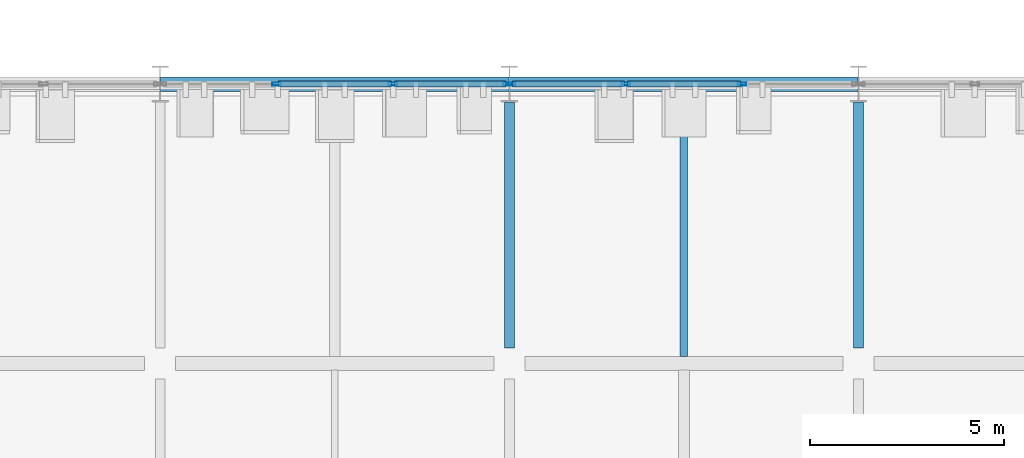
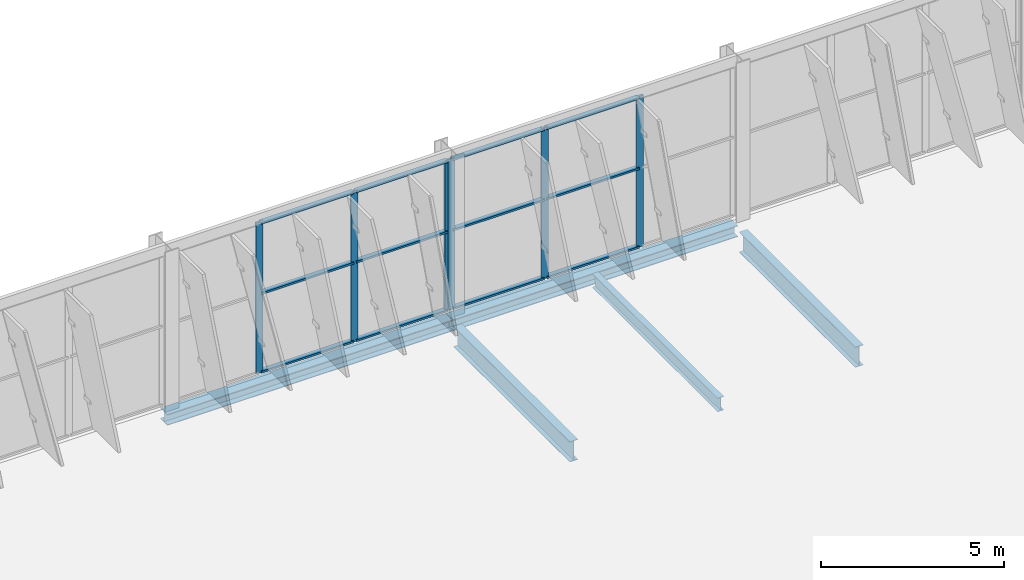
# One storey, part 26 of 189: 18 members, 5 beams, 2 elements without a shape of their own.
"""IFC4 building model written with IfcOpenShell, lengths in metres."""

from ifc_helpers import new_model, si_unit, direction, frame, origin, origin_2d, place, context, subcontext, project, spatial, hollow_rectangle, i_section, extrude, material, layer, layer_set, material_profile, profile_set, type_object, element, aggregate, save


model = new_model("IFC4")

# Units and contexts
model_context = context("Model", 3, precision=1e-05, world=origin(), true_north=direction((0.0, 1.0)))
body_context = subcontext(model_context, "Body", "Model", "MODEL_VIEW")
ifc_project = project(units=[si_unit("LENGTHUNIT", "METRE"), si_unit("AREAUNIT", "SQUARE_METRE"), si_unit("VOLUMEUNIT", "CUBIC_METRE"), si_unit("PLANEANGLEUNIT", "RADIAN"), si_unit("MASSUNIT", "GRAM", prefix="KILO")], contexts=[model_context])

# Site, building, storey
site_placement = place(None, origin())
site = spatial("IfcSite", under=ifc_project, at=site_placement, CompositionType="ELEMENT")
building_placement = place(site_placement, origin())
building = spatial("IfcBuilding", under=site, at=building_placement, Name="Celestram Park Convention Centre", CompositionType="ELEMENT")
storey_placement = place(building_placement, frame((0.0, 0.0, 5.39990234375)))
storey = spatial("IfcBuildingStorey", under=building, at=storey_placement, Name="L01", CompositionType="ELEMENT", Elevation=5.39990234375)

# Curtain wall, members
ifc_material_1 = material(Name="Anodised Aluminium Alloy 6063-T6", Category="aluminium")
ifc_layer = layer(ifc_material_1, 0.179931640625)
ifc_layer_set = layer_set([ifc_layer], Name="Anodised Aluminium Alloy 6063-T6")
curtain_wall_type = type_object("IfcCurtainWallType", Name="ARC-CW-898X503", PredefinedType="NOTDEFINED", material=ifc_layer_set)
curtain_wall_1_placement = place(storey_placement, origin())
curtain_wall_1 = element("IfcCurtainWall", 1, at=curtain_wall_1_placement, inside=storey, type_object=curtain_wall_type, Name="Unitised curtain wall CU-L01-132", PredefinedType="NOTDEFINED")
ifc_material_profile_1 = material_profile(ifc_material_1, hollow_rectangle(XDim=0.074951171875, YDim=0.219970703125, WallThickness=0.00390625, at=origin_2d()), Name="ALU75X220X4")
ifc_profile_set_1 = profile_set([ifc_material_profile_1], Name="Anodised Aluminium Alloy 6063-T6")
member_type_1 = type_object("IfcMemberType", Name="ARC-CWM-180", PredefinedType="MULLION", material=ifc_profile_set_1)
member_1_placement = place(storey_placement, frame((77.99658203125, 21.60009765625, 0.0), z_axis=(0.0, 0.0, 1.0), x_axis=(0.0, -1.0, 0.0)))
member_1 = element("IfcMember", 2, at=member_1_placement, type_object=member_type_1, Name="CW-89X50 mullion 2", PredefinedType="MULLION", context=body_context, shape_type="SweptSolid", body=[
    extrude(hollow_rectangle(XDim=0.074951171875, YDim=0.219970703125, WallThickness=0.00390625, at=origin_2d()), origin(), (0.0, 0.0, 1.0), 5.027099609375),
])
member_2_placement = place(storey_placement, frame((75.00341796875, 21.60009765625, 0.0), z_axis=(0.0, 0.0, 1.0), x_axis=(0.0, -1.0, 0.0)))
member_2 = element("IfcMember", 3, at=member_2_placement, type_object=member_type_1, Name="CW-89X50 mullion 3", PredefinedType="MULLION", context=body_context, shape_type="SweptSolid", body=[
    extrude(hollow_rectangle(XDim=0.074951171875, YDim=0.219970703125, WallThickness=0.00390625, at=origin_2d()), origin(), (0.0, 0.0, 1.0), 5.027099609375),
])
member_3_placement = place(storey_placement, frame((72.047607421875, 21.60009765625, 0.0), z_axis=(0.0, 0.0, 1.0), x_axis=(0.0, -1.0, 0.0)))
member_3 = element("IfcMember", 4, at=member_3_placement, type_object=member_type_1, Name="CW-89X50 mullion 4", PredefinedType="MULLION", context=body_context, shape_type="SweptSolid", body=[
    extrude(hollow_rectangle(XDim=0.074951171875, YDim=0.219970703125, WallThickness=0.00390625, at=origin_2d()), origin(), (0.0, 0.0, 1.0), 5.027099609375),
])

curtain_wall_2_placement = place(storey_placement, origin())
curtain_wall_2 = element("IfcCurtainWall", 5, at=curtain_wall_2_placement, inside=storey, type_object=curtain_wall_type, Name="Unitised curtain wall CU-L01-133", PredefinedType="NOTDEFINED")
member_4_placement = place(storey_placement, frame((71.952392578125, 21.60009765625, 0.0), z_axis=(0.0, 0.0, 1.0), x_axis=(0.0, -1.0, 0.0)))
member_4 = element("IfcMember", 6, at=member_4_placement, type_object=member_type_1, Name="CW-89X50 mullion 1", PredefinedType="MULLION", context=body_context, shape_type="SweptSolid", body=[
    extrude(hollow_rectangle(XDim=0.074951171875, YDim=0.219970703125, WallThickness=0.00390625, at=origin_2d()), origin(), (0.0, 0.0, 1.0), 5.027099609375),
])
member_5_placement = place(storey_placement, frame((68.99658203125, 21.60009765625, 0.0), z_axis=(0.0, 0.0, 1.0), x_axis=(0.0, -1.0, 0.0)))
member_5 = element("IfcMember", 7, at=member_5_placement, type_object=member_type_1, Name="CW-89X50 mullion 2", PredefinedType="MULLION", context=body_context, shape_type="SweptSolid", body=[
    extrude(hollow_rectangle(XDim=0.074951171875, YDim=0.219970703125, WallThickness=0.00390625, at=origin_2d()), origin(), (0.0, 0.0, 1.0), 5.027099609375),
])
member_6_placement = place(storey_placement, frame((66.00341796875, 21.60009765625, 0.0), z_axis=(0.0, 0.0, 1.0), x_axis=(0.0, -1.0, 0.0)))
member_6 = element("IfcMember", 8, at=member_6_placement, type_object=member_type_1, Name="CW-89X50 mullion 3", PredefinedType="MULLION", context=body_context, shape_type="SweptSolid", body=[
    extrude(hollow_rectangle(XDim=0.074951171875, YDim=0.219970703125, WallThickness=0.00390625, at=origin_2d()), origin(), (0.0, 0.0, 1.0), 5.027099609375),
])

# Member
ifc_material_profile_2 = material_profile(ifc_material_1, hollow_rectangle(XDim=0.14990234375, YDim=0.06494140625, WallThickness=0.0029296875, at=origin_2d()), Name="ALU150X65X3")
ifc_profile_set_2 = profile_set([ifc_material_profile_2], Name="Anodised Aluminium Alloy 6063-T6")
member_type_2 = type_object("IfcMemberType", Name="ARC-CWT-150", PredefinedType="USERDEFINED", material=ifc_profile_set_2)
member_7_placement = place(storey_placement, frame((77.959228515625, 21.60009765625, 0.03271484375), z_axis=(-1.0, 0.0, 0.0), x_axis=(0.0, -1.0, 0.0)))
member_7 = element("IfcMember", 9, at=member_7_placement, type_object=member_type_2, Name="CW-89X50 transom 2.1", ObjectType="TRANSOM", PredefinedType="USERDEFINED", context=body_context, shape_type="SweptSolid", body=[
    extrude(hollow_rectangle(XDim=0.14990234375, YDim=0.06494140625, WallThickness=0.0029296875, at=origin_2d()), origin(), (0.0, 0.0, 1.0), 2.91845703125),
])

member_8_placement = place(storey_placement, frame((77.959228515625, 21.60009765625, 2.650146484375), z_axis=(-1.0, 0.0, 0.0), x_axis=(0.0, -1.0, 0.0)))
member_8 = element("IfcMember", 10, at=member_8_placement, type_object=member_type_2, Name="CW-89X50 transom 2.2", ObjectType="TRANSOM", PredefinedType="USERDEFINED", context=body_context, shape_type="SweptSolid", body=[
    extrude(hollow_rectangle(XDim=0.14990234375, YDim=0.06494140625, WallThickness=0.0029296875, at=origin_2d()), origin(), (0.0, 0.0, 1.0), 2.91845703125),
])

member_9_placement = place(storey_placement, frame((77.959228515625, 21.60009765625, 4.99462890625), z_axis=(-1.0, 0.0, 0.0), x_axis=(0.0, -1.0, 0.0)))
member_9 = element("IfcMember", 11, at=member_9_placement, type_object=member_type_2, Name="CW-89X50 transom 2.3", ObjectType="TRANSOM", PredefinedType="USERDEFINED", context=body_context, shape_type="SweptSolid", body=[
    extrude(hollow_rectangle(XDim=0.14990234375, YDim=0.06494140625, WallThickness=0.0029296875, at=origin_2d()), origin(), (0.0, 0.0, 1.0), 2.91845703125),
])

member_10_placement = place(storey_placement, frame((74.9658203125, 21.60009765625, 0.03271484375), z_axis=(-1.0, 0.0, 0.0), x_axis=(0.0, -1.0, 0.0)))
member_10 = element("IfcMember", 12, at=member_10_placement, type_object=member_type_2, Name="CW-89X50 transom 3.1", ObjectType="TRANSOM", PredefinedType="USERDEFINED", context=body_context, shape_type="SweptSolid", body=[
    extrude(hollow_rectangle(XDim=0.14990234375, YDim=0.06494140625, WallThickness=0.0029296875, at=origin_2d()), origin(), (0.0, 0.0, 1.0), 2.880859375),
])

member_11_placement = place(storey_placement, frame((74.9658203125, 21.60009765625, 2.650146484375), z_axis=(-1.0, 0.0, 0.0), x_axis=(0.0, -1.0, 0.0)))
member_11 = element("IfcMember", 13, at=member_11_placement, type_object=member_type_2, Name="CW-89X50 transom 3.2", ObjectType="TRANSOM", PredefinedType="USERDEFINED", context=body_context, shape_type="SweptSolid", body=[
    extrude(hollow_rectangle(XDim=0.14990234375, YDim=0.06494140625, WallThickness=0.0029296875, at=origin_2d()), origin(), (0.0, 0.0, 1.0), 2.880859375),
])

member_12_placement = place(storey_placement, frame((74.9658203125, 21.60009765625, 4.99462890625), z_axis=(-1.0, 0.0, 0.0), x_axis=(0.0, -1.0, 0.0)))
member_12 = element("IfcMember", 14, at=member_12_placement, type_object=member_type_2, Name="CW-89X50 transom 3.3", ObjectType="TRANSOM", PredefinedType="USERDEFINED", context=body_context, shape_type="SweptSolid", body=[
    extrude(hollow_rectangle(XDim=0.14990234375, YDim=0.06494140625, WallThickness=0.0029296875, at=origin_2d()), origin(), (0.0, 0.0, 1.0), 2.880859375),
])

aggregate(curtain_wall_1, [member_1, member_2, member_3, member_7, member_8, member_9, member_10, member_11, member_12])

member_13_placement = place(storey_placement, frame((71.9150390625, 21.60009765625, 0.03271484375), z_axis=(-1.0, 0.0, 0.0), x_axis=(0.0, -1.0, 0.0)))
member_13 = element("IfcMember", 15, at=member_13_placement, type_object=member_type_2, Name="CW-89X50 transom 1.1", ObjectType="TRANSOM", PredefinedType="USERDEFINED", context=body_context, shape_type="SweptSolid", body=[
    extrude(hollow_rectangle(XDim=0.14990234375, YDim=0.06494140625, WallThickness=0.0029296875, at=origin_2d()), origin(), (0.0, 0.0, 1.0), 2.880859375),
])

member_14_placement = place(storey_placement, frame((71.9150390625, 21.60009765625, 2.650146484375), z_axis=(-1.0, 0.0, 0.0), x_axis=(0.0, -1.0, 0.0)))
member_14 = element("IfcMember", 16, at=member_14_placement, type_object=member_type_2, Name="CW-89X50 transom 1.2", ObjectType="TRANSOM", PredefinedType="USERDEFINED", context=body_context, shape_type="SweptSolid", body=[
    extrude(hollow_rectangle(XDim=0.14990234375, YDim=0.06494140625, WallThickness=0.0029296875, at=origin_2d()), origin(), (0.0, 0.0, 1.0), 2.880859375),
])

member_15_placement = place(storey_placement, frame((71.9150390625, 21.60009765625, 4.99462890625), z_axis=(-1.0, 0.0, 0.0), x_axis=(0.0, -1.0, 0.0)))
member_15 = element("IfcMember", 17, at=member_15_placement, type_object=member_type_2, Name="CW-89X50 transom 1.3", ObjectType="TRANSOM", PredefinedType="USERDEFINED", context=body_context, shape_type="SweptSolid", body=[
    extrude(hollow_rectangle(XDim=0.14990234375, YDim=0.06494140625, WallThickness=0.0029296875, at=origin_2d()), origin(), (0.0, 0.0, 1.0), 2.880859375),
])

member_16_placement = place(storey_placement, frame((68.959228515625, 21.60009765625, 0.03271484375), z_axis=(-1.0, 0.0, 0.0), x_axis=(0.0, -1.0, 0.0)))
member_16 = element("IfcMember", 18, at=member_16_placement, type_object=member_type_2, Name="CW-89X50 transom 2.1", ObjectType="TRANSOM", PredefinedType="USERDEFINED", context=body_context, shape_type="SweptSolid", body=[
    extrude(hollow_rectangle(XDim=0.14990234375, YDim=0.06494140625, WallThickness=0.0029296875, at=origin_2d()), origin(), (0.0, 0.0, 1.0), 2.91845703125),
])

member_17_placement = place(storey_placement, frame((68.959228515625, 21.60009765625, 2.650146484375), z_axis=(-1.0, 0.0, 0.0), x_axis=(0.0, -1.0, 0.0)))
member_17 = element("IfcMember", 19, at=member_17_placement, type_object=member_type_2, Name="CW-89X50 transom 2.2", ObjectType="TRANSOM", PredefinedType="USERDEFINED", context=body_context, shape_type="SweptSolid", body=[
    extrude(hollow_rectangle(XDim=0.14990234375, YDim=0.06494140625, WallThickness=0.0029296875, at=origin_2d()), origin(), (0.0, 0.0, 1.0), 2.91845703125),
])

member_18_placement = place(storey_placement, frame((68.959228515625, 21.60009765625, 4.99462890625), z_axis=(-1.0, 0.0, 0.0), x_axis=(0.0, -1.0, 0.0)))
member_18 = element("IfcMember", 20, at=member_18_placement, type_object=member_type_2, Name="CW-89X50 transom 2.3", ObjectType="TRANSOM", PredefinedType="USERDEFINED", context=body_context, shape_type="SweptSolid", body=[
    extrude(hollow_rectangle(XDim=0.14990234375, YDim=0.06494140625, WallThickness=0.0029296875, at=origin_2d()), origin(), (0.0, 0.0, 1.0), 2.91845703125),
])

aggregate(curtain_wall_2, [member_4, member_5, member_6, member_13, member_14, member_15, member_16, member_17, member_18])

# Beams
ifc_material_2 = material(Name="Steel ASTM A992 Grade 50", Category="steel")
ifc_material_profile_3 = material_profile(ifc_material_2, i_section(OverallWidth=0.25390625, OverallDepth=0.68310546875, WebThickness=0.012451171875, FlangeThickness=0.01904296875, at=origin_2d()), Name="W27X94")
ifc_profile_set_3 = profile_set([ifc_material_profile_3], Name="Steel ASTM A992 Grade 50")
beam_type_1 = type_object("IfcBeamType", Name="STR-BM-W27X94", PredefinedType="BEAM", material=ifc_profile_set_3)
for number, where, z_axis, x_axis, name in (
    (21, (72.0, 14.798095703125, -0.581298828125), (0.0, 1.0, 0.0), (-1.0, 0.0, 0.0), "Primary Y-girder BG-L01-0125"),
    (22, (81.0, 14.798095703125, -0.581298828125), (0.0, 1.0, 0.0), (-1.0, 0.0, 0.0), "Primary Y-girder BG-L01-0146"),
):
    element("IfcBeam", number, at=place(storey_placement, frame(where, z_axis=z_axis, x_axis=x_axis)), inside=storey, type_object=beam_type_1, Name=name, PredefinedType="BEAM", context=body_context, shape_type="SweptSolid", body=[
        extrude(i_section(OverallWidth=0.25390625, OverallDepth=0.68310546875, WebThickness=0.012451171875, FlangeThickness=0.01904296875, at=origin_2d()), origin(), (0.0, 0.0, 1.0), 6.337890625),
    ])
ifc_material_profile_4 = material_profile(ifc_material_2, i_section(OverallWidth=0.19091796875, OverallDepth=0.45703125, WebThickness=0.009033203125, FlangeThickness=0.014404296875, at=origin_2d()), Name="W18X50")
ifc_profile_set_4 = profile_set([ifc_material_profile_4], Name="Steel ASTM A992 Grade 50")
beam_type_2 = type_object("IfcBeamType", Name="STR-JST-W18X50", PredefinedType="JOIST", material=ifc_profile_set_4)
beam_placement = place(storey_placement, frame((76.5, 14.573974609375, -0.468505859375), z_axis=(0.0, 1.0, 0.0), x_axis=(-1.0, 0.0, 0.0)))
element("IfcBeam", 23, at=beam_placement, inside=storey, type_object=beam_type_2, Name="Secondary composite joist BG-L01-0590", PredefinedType="JOIST", context=body_context, shape_type="SweptSolid", body=[
    extrude(i_section(OverallWidth=0.19091796875, OverallDepth=0.45703125, WebThickness=0.009033203125, FlangeThickness=0.014404296875, at=origin_2d()), origin(), (0.0, 0.0, 1.0), 6.843994140625),
])
ifc_material_profile_5 = material_profile(ifc_material_2, i_section(OverallWidth=0.373046875, OverallDepth=0.373046875, WebThickness=0.016357421875, FlangeThickness=0.026123046875, at=origin_2d()), Name="W14X132")
ifc_profile_set_5 = profile_set([ifc_material_profile_5], Name="Steel ASTM A992 Grade 50")
beam_type_3 = type_object("IfcBeamType", Name="STR-SPN-W14X132", PredefinedType="SPANDREL", material=ifc_profile_set_5)
for number, where, z_axis, x_axis, name in (
    (24, (63.010009765625, 21.60009765625, -0.426513671875), (1.0, 0.0, 0.0), (0.0, 1.0, 0.0), "Primary X-girder BG-L01-0107"),
    (25, (72.010009765625, 21.60009765625, -0.426513671875), (1.0, 0.0, 0.0), (0.0, 1.0, 0.0), "Primary X-girder BG-L01-0126"),
):
    element("IfcBeam", number, at=place(storey_placement, frame(where, z_axis=z_axis, x_axis=x_axis)), inside=storey, type_object=beam_type_3, Name=name, PredefinedType="SPANDREL", context=body_context, shape_type="SweptSolid", body=[
        extrude(i_section(OverallWidth=0.373046875, OverallDepth=0.373046875, WebThickness=0.016357421875, FlangeThickness=0.026123046875, at=origin_2d()), origin(), (0.0, 0.0, 1.0), 8.97998046875),
    ])

save(model, "model.ifc")
